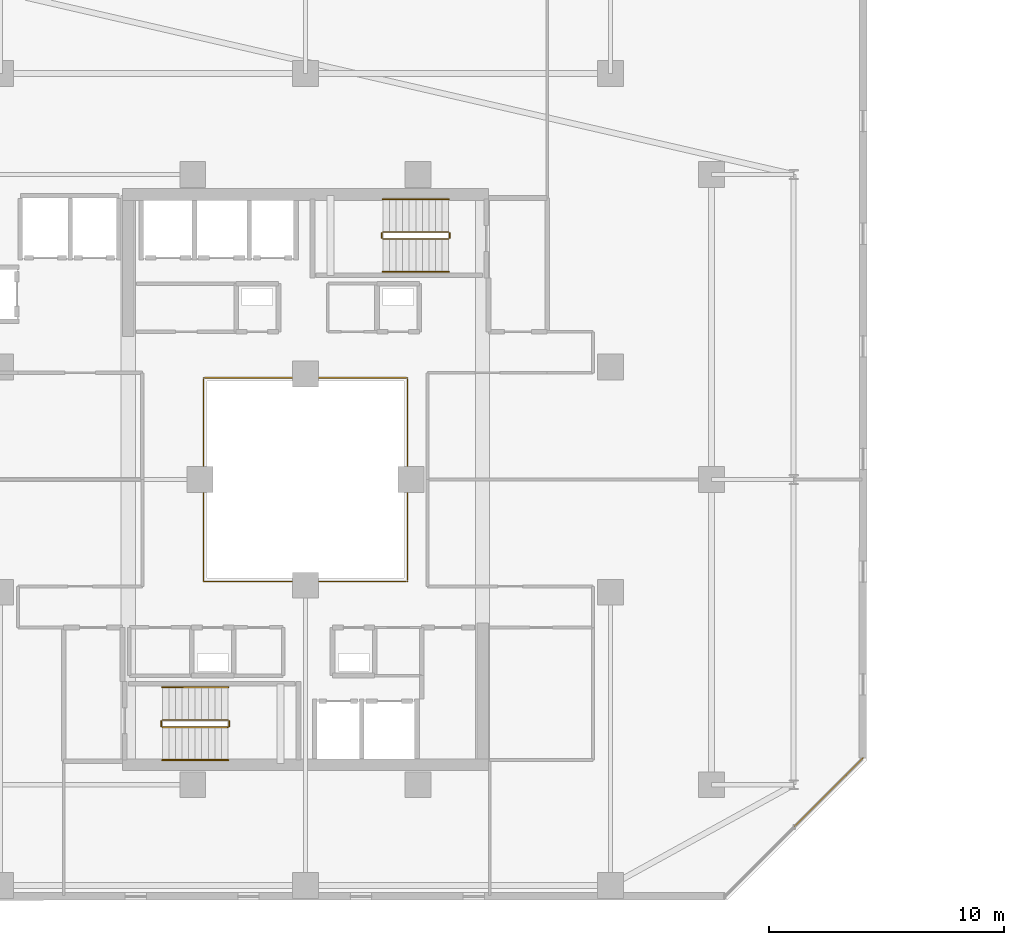
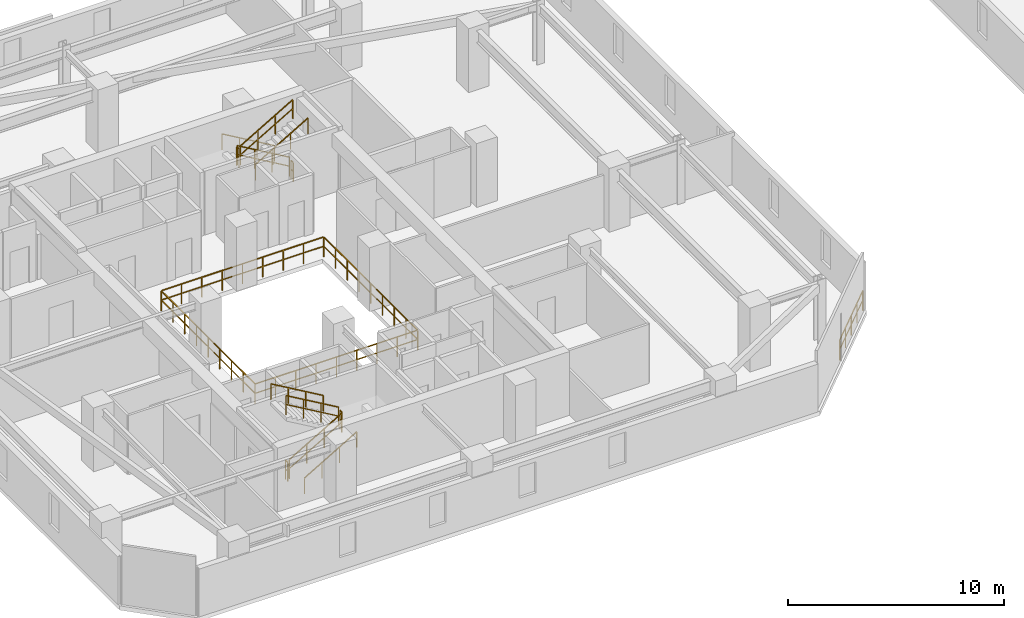
# One storey, part 29 of 32: 14 railings.
"""IFC4 building model written with IfcOpenShell, lengths in metres."""

from ifc_helpers import new_model, si_unit, direction, frame, origin, origin_2d, place, context, subcontext, project, spatial, rectangle, extrude, material, type_object, element, save


model = new_model("IFC4")

# Units and contexts
model_context = context("Model", 3, precision=1e-05, world=origin(), true_north=direction((0.0, 1.0)))
body_context = subcontext(model_context, "Body", "Model", "MODEL_VIEW")
ifc_project = project(units=[si_unit("LENGTHUNIT", "METRE"), si_unit("AREAUNIT", "SQUARE_METRE"), si_unit("VOLUMEUNIT", "CUBIC_METRE"), si_unit("PLANEANGLEUNIT", "RADIAN"), si_unit("MASSUNIT", "GRAM", prefix="KILO")], contexts=[model_context])

# Site, building, storey
site_placement = place(None, origin())
site = spatial("IfcSite", under=ifc_project, at=site_placement, CompositionType="ELEMENT")
building_placement = place(site_placement, origin())
building = spatial("IfcBuilding", under=site, at=building_placement, Name="Thornwick Lancets Civic Towers", CompositionType="ELEMENT")
storey_placement = place(building_placement, frame((0.0, 0.0, 178.5)))
storey = spatial("IfcBuildingStorey", under=building, at=storey_placement, Name="L47", CompositionType="ELEMENT", Elevation=178.5)

# Railings
ifc_material_1 = material(Name="Laminated glass and bronze steel S355", Category="steel")
railing_type_1 = type_object("IfcRailingType", Name="RAIL_ATRIUM_GUARD", PredefinedType="BALUSTRADE", material=ifc_material_1)
railing_1_placement = place(storey_placement, frame((21.159912109375, 22.659912109375, 0.0)))
element("IfcRailing", 1, at=railing_1_placement, inside=storey, type_object=railing_type_1, Name="L47 Tower A Central Atrium Guard Balustrade", PredefinedType="BALUSTRADE", context=body_context, shape_type="SweptSolid", body=[
    extrude(rectangle(XDim=0.048095703125, YDim=0.048095703125, at=origin_2d()), frame((0.0, 0.0, 1.1259765625), z_axis=(1.0, 0.0, 0.0), x_axis=(0.0, 1.0, 0.0)), (0.0, 0.0, 1.0), 8.64892578125),
    extrude(rectangle(XDim=0.0419921875, YDim=0.0419921875, at=origin_2d()), frame((0.03759765625, 0.0, 0.597900390625), z_axis=(1.0, 0.0, 0.0), x_axis=(0.0, 1.0, 0.0)), (0.0, 0.0, 1.0), 1.010009765625),
    extrude(rectangle(XDim=0.0419921875, YDim=0.0419921875, at=origin_2d()), frame((1.12255859375, 0.0, 0.597900390625), z_axis=(1.0, 0.0, 0.0), x_axis=(0.0, 1.0, 0.0)), (0.0, 0.0, 1.0), 1.010009765625),
    extrude(rectangle(XDim=0.0419921875, YDim=0.0419921875, at=origin_2d()), frame((2.20751953125, 0.0, 0.597900390625), z_axis=(1.0, 0.0, 0.0), x_axis=(0.0, 1.0, 0.0)), (0.0, 0.0, 1.0), 1.010009765625),
    extrude(rectangle(XDim=0.0419921875, YDim=0.0419921875, at=origin_2d()), frame((3.29248046875, 0.0, 0.597900390625), z_axis=(1.0, 0.0, 0.0), x_axis=(0.0, 1.0, 0.0)), (0.0, 0.0, 1.0), 1.010009765625),
    extrude(rectangle(XDim=0.0419921875, YDim=0.0419921875, at=origin_2d()), frame((4.377685546875, 0.0, 0.597900390625), z_axis=(1.0, 0.0, 0.0), x_axis=(0.0, 1.0, 0.0)), (0.0, 0.0, 1.0), 1.010009765625),
    extrude(rectangle(XDim=0.0419921875, YDim=0.0419921875, at=origin_2d()), frame((5.462646484375, 0.0, 0.597900390625), z_axis=(1.0, 0.0, 0.0), x_axis=(0.0, 1.0, 0.0)), (0.0, 0.0, 1.0), 1.010009765625),
    extrude(rectangle(XDim=0.0419921875, YDim=0.0419921875, at=origin_2d()), frame((6.547607421875, 0.0, 0.597900390625), z_axis=(1.0, 0.0, 0.0), x_axis=(0.0, 1.0, 0.0)), (0.0, 0.0, 1.0), 1.010009765625),
    extrude(rectangle(XDim=0.0419921875, YDim=0.0419921875, at=origin_2d()), frame((7.632568359375, 0.0, 0.597900390625), z_axis=(1.0, 0.0, 0.0), x_axis=(0.0, 1.0, 0.0)), (0.0, 0.0, 1.0), 1.010009765625),
    extrude(rectangle(XDim=0.048095703125, YDim=0.048095703125, at=origin_2d()), frame((8.68017578125, 0.03125, 1.1259765625), z_axis=(0.0, 1.0, 0.0), x_axis=(-1.0, 0.0, 0.0)), (0.0, 0.0, 1.0), 8.61767578125),
    extrude(rectangle(XDim=0.0419921875, YDim=0.0419921875, at=origin_2d()), frame((8.68017578125, 0.03759765625, 0.597900390625), z_axis=(0.0, 1.0, 0.0), x_axis=(-1.0, 0.0, 0.0)), (0.0, 0.0, 1.0), 1.010009765625),
    extrude(rectangle(XDim=0.0419921875, YDim=0.0419921875, at=origin_2d()), frame((8.68017578125, 1.12255859375, 0.597900390625), z_axis=(0.0, 1.0, 0.0), x_axis=(-1.0, 0.0, 0.0)), (0.0, 0.0, 1.0), 1.010009765625),
    extrude(rectangle(XDim=0.0419921875, YDim=0.0419921875, at=origin_2d()), frame((8.68017578125, 2.20751953125, 0.597900390625), z_axis=(0.0, 1.0, 0.0), x_axis=(-1.0, 0.0, 0.0)), (0.0, 0.0, 1.0), 1.010009765625),
    extrude(rectangle(XDim=0.0419921875, YDim=0.0419921875, at=origin_2d()), frame((8.68017578125, 3.29248046875, 0.597900390625), z_axis=(0.0, 1.0, 0.0), x_axis=(-1.0, 0.0, 0.0)), (0.0, 0.0, 1.0), 1.010009765625),
    extrude(rectangle(XDim=0.0419921875, YDim=0.0419921875, at=origin_2d()), frame((8.68017578125, 4.377685546875, 0.597900390625), z_axis=(0.0, 1.0, 0.0), x_axis=(-1.0, 0.0, 0.0)), (0.0, 0.0, 1.0), 1.010009765625),
    extrude(rectangle(XDim=0.0419921875, YDim=0.0419921875, at=origin_2d()), frame((8.68017578125, 5.462646484375, 0.597900390625), z_axis=(0.0, 1.0, 0.0), x_axis=(-1.0, 0.0, 0.0)), (0.0, 0.0, 1.0), 1.010009765625),
    extrude(rectangle(XDim=0.0419921875, YDim=0.0419921875, at=origin_2d()), frame((8.68017578125, 6.547607421875, 0.597900390625), z_axis=(0.0, 1.0, 0.0), x_axis=(-1.0, 0.0, 0.0)), (0.0, 0.0, 1.0), 1.010009765625),
    extrude(rectangle(XDim=0.0419921875, YDim=0.0419921875, at=origin_2d()), frame((8.68017578125, 7.632568359375, 0.597900390625), z_axis=(0.0, 1.0, 0.0), x_axis=(-1.0, 0.0, 0.0)), (0.0, 0.0, 1.0), 1.010009765625),
    extrude(rectangle(XDim=0.048095703125, YDim=0.048095703125, at=origin_2d()), frame((8.64892578125, 8.68017578125, 1.1259765625), z_axis=(-1.0, 0.0, 0.0), x_axis=(0.0, -1.0, 0.0)), (0.0, 0.0, 1.0), 8.61767578125),
    extrude(rectangle(XDim=0.0419921875, YDim=0.0419921875, at=origin_2d()), frame((8.642578125, 8.68017578125, 0.597900390625), z_axis=(-1.0, 0.0, 0.0), x_axis=(0.0, -1.0, 0.0)), (0.0, 0.0, 1.0), 1.010009765625),
    extrude(rectangle(XDim=0.0419921875, YDim=0.0419921875, at=origin_2d()), frame((7.5576171875, 8.68017578125, 0.597900390625), z_axis=(-1.0, 0.0, 0.0), x_axis=(0.0, -1.0, 0.0)), (0.0, 0.0, 1.0), 1.010009765625),
    extrude(rectangle(XDim=0.0419921875, YDim=0.0419921875, at=origin_2d()), frame((6.47265625, 8.68017578125, 0.597900390625), z_axis=(-1.0, 0.0, 0.0), x_axis=(0.0, -1.0, 0.0)), (0.0, 0.0, 1.0), 1.010009765625),
    extrude(rectangle(XDim=0.0419921875, YDim=0.0419921875, at=origin_2d()), frame((5.3876953125, 8.68017578125, 0.597900390625), z_axis=(-1.0, 0.0, 0.0), x_axis=(0.0, -1.0, 0.0)), (0.0, 0.0, 1.0), 1.010009765625),
    extrude(rectangle(XDim=0.0419921875, YDim=0.0419921875, at=origin_2d()), frame((4.302490234375, 8.68017578125, 0.597900390625), z_axis=(-1.0, 0.0, 0.0), x_axis=(0.0, -1.0, 0.0)), (0.0, 0.0, 1.0), 1.010009765625),
    extrude(rectangle(XDim=0.0419921875, YDim=0.0419921875, at=origin_2d()), frame((3.217529296875, 8.68017578125, 0.597900390625), z_axis=(-1.0, 0.0, 0.0), x_axis=(0.0, -1.0, 0.0)), (0.0, 0.0, 1.0), 1.010009765625),
    extrude(rectangle(XDim=0.0419921875, YDim=0.0419921875, at=origin_2d()), frame((2.132568359375, 8.68017578125, 0.597900390625), z_axis=(-1.0, 0.0, 0.0), x_axis=(0.0, -1.0, 0.0)), (0.0, 0.0, 1.0), 1.010009765625),
    extrude(rectangle(XDim=0.0419921875, YDim=0.0419921875, at=origin_2d()), frame((1.047607421875, 8.68017578125, 0.597900390625), z_axis=(-1.0, 0.0, 0.0), x_axis=(0.0, -1.0, 0.0)), (0.0, 0.0, 1.0), 1.010009765625),
    extrude(rectangle(XDim=0.048095703125, YDim=0.048095703125, at=origin_2d()), frame((0.0, 8.64892578125, 1.1259765625), z_axis=(0.0, -1.0, 0.0), x_axis=(1.0, 0.0, 0.0)), (0.0, 0.0, 1.0), 8.64892578125),
    extrude(rectangle(XDim=0.0419921875, YDim=0.0419921875, at=origin_2d()), frame((0.0, 8.642578125, 0.597900390625), z_axis=(0.0, -1.0, 0.0), x_axis=(1.0, 0.0, 0.0)), (0.0, 0.0, 1.0), 1.010009765625),
    extrude(rectangle(XDim=0.0419921875, YDim=0.0419921875, at=origin_2d()), frame((0.0, 7.5576171875, 0.597900390625), z_axis=(0.0, -1.0, 0.0), x_axis=(1.0, 0.0, 0.0)), (0.0, 0.0, 1.0), 1.010009765625),
    extrude(rectangle(XDim=0.0419921875, YDim=0.0419921875, at=origin_2d()), frame((0.0, 6.47265625, 0.597900390625), z_axis=(0.0, -1.0, 0.0), x_axis=(1.0, 0.0, 0.0)), (0.0, 0.0, 1.0), 1.010009765625),
    extrude(rectangle(XDim=0.0419921875, YDim=0.0419921875, at=origin_2d()), frame((0.0, 5.3876953125, 0.597900390625), z_axis=(0.0, -1.0, 0.0), x_axis=(1.0, 0.0, 0.0)), (0.0, 0.0, 1.0), 1.010009765625),
    extrude(rectangle(XDim=0.0419921875, YDim=0.0419921875, at=origin_2d()), frame((0.0, 4.302490234375, 0.597900390625), z_axis=(0.0, -1.0, 0.0), x_axis=(1.0, 0.0, 0.0)), (0.0, 0.0, 1.0), 1.010009765625),
    extrude(rectangle(XDim=0.0419921875, YDim=0.0419921875, at=origin_2d()), frame((0.0, 3.217529296875, 0.597900390625), z_axis=(0.0, -1.0, 0.0), x_axis=(1.0, 0.0, 0.0)), (0.0, 0.0, 1.0), 1.010009765625),
    extrude(rectangle(XDim=0.0419921875, YDim=0.0419921875, at=origin_2d()), frame((0.0, 2.132568359375, 0.597900390625), z_axis=(0.0, -1.0, 0.0), x_axis=(1.0, 0.0, 0.0)), (0.0, 0.0, 1.0), 1.010009765625),
    extrude(rectangle(XDim=0.0419921875, YDim=0.0419921875, at=origin_2d()), frame((0.0, 1.047607421875, 0.597900390625), z_axis=(0.0, -1.0, 0.0), x_axis=(1.0, 0.0, 0.0)), (0.0, 0.0, 1.0), 1.010009765625),
    extrude(rectangle(XDim=0.0419921875, YDim=0.0419921875, at=origin_2d()), origin(), (0.0, 0.0, 1.0), 1.095703125),
    extrude(rectangle(XDim=0.0419921875, YDim=0.0419921875, at=origin_2d()), frame((1.0849609375, 0.0, 0.0)), (0.0, 0.0, 1.0), 1.095703125),
    extrude(rectangle(XDim=0.0419921875, YDim=0.0419921875, at=origin_2d()), frame((2.169921875, 0.0, 0.0)), (0.0, 0.0, 1.0), 1.095703125),
    extrude(rectangle(XDim=0.0419921875, YDim=0.0419921875, at=origin_2d()), frame((3.255126953125, 0.0, 0.0)), (0.0, 0.0, 1.0), 1.095703125),
    extrude(rectangle(XDim=0.0419921875, YDim=0.0419921875, at=origin_2d()), frame((4.340087890625, 0.0, 0.0)), (0.0, 0.0, 1.0), 1.095703125),
    extrude(rectangle(XDim=0.0419921875, YDim=0.0419921875, at=origin_2d()), frame((5.425048828125, 0.0, 0.0)), (0.0, 0.0, 1.0), 1.095703125),
    extrude(rectangle(XDim=0.0419921875, YDim=0.0419921875, at=origin_2d()), frame((6.51025390625, 0.0, 0.0)), (0.0, 0.0, 1.0), 1.095703125),
    extrude(rectangle(XDim=0.0419921875, YDim=0.0419921875, at=origin_2d()), frame((7.59521484375, 0.0, 0.0)), (0.0, 0.0, 1.0), 1.095703125),
    extrude(rectangle(XDim=0.0419921875, YDim=0.0419921875, at=origin_2d()), frame((8.68017578125, 0.0, 0.0)), (0.0, 0.0, 1.0), 1.095703125),
    extrude(rectangle(XDim=0.0419921875, YDim=0.0419921875, at=origin_2d()), frame((8.68017578125, 1.0849609375, 0.0)), (0.0, 0.0, 1.0), 1.095703125),
    extrude(rectangle(XDim=0.0419921875, YDim=0.0419921875, at=origin_2d()), frame((8.68017578125, 2.169921875, 0.0)), (0.0, 0.0, 1.0), 1.095703125),
    extrude(rectangle(XDim=0.0419921875, YDim=0.0419921875, at=origin_2d()), frame((8.68017578125, 3.255126953125, 0.0)), (0.0, 0.0, 1.0), 1.095703125),
    extrude(rectangle(XDim=0.0419921875, YDim=0.0419921875, at=origin_2d()), frame((8.68017578125, 4.340087890625, 0.0)), (0.0, 0.0, 1.0), 1.095703125),
    extrude(rectangle(XDim=0.0419921875, YDim=0.0419921875, at=origin_2d()), frame((8.68017578125, 5.425048828125, 0.0)), (0.0, 0.0, 1.0), 1.095703125),
    extrude(rectangle(XDim=0.0419921875, YDim=0.0419921875, at=origin_2d()), frame((8.68017578125, 6.51025390625, 0.0)), (0.0, 0.0, 1.0), 1.095703125),
    extrude(rectangle(XDim=0.0419921875, YDim=0.0419921875, at=origin_2d()), frame((8.68017578125, 7.59521484375, 0.0)), (0.0, 0.0, 1.0), 1.095703125),
    extrude(rectangle(XDim=0.0419921875, YDim=0.0419921875, at=origin_2d()), frame((8.68017578125, 8.68017578125, 0.0)), (0.0, 0.0, 1.0), 1.095703125),
    extrude(rectangle(XDim=0.0419921875, YDim=0.0419921875, at=origin_2d()), frame((7.59521484375, 8.68017578125, 0.0)), (0.0, 0.0, 1.0), 1.095703125),
    extrude(rectangle(XDim=0.0419921875, YDim=0.0419921875, at=origin_2d()), frame((6.51025390625, 8.68017578125, 0.0)), (0.0, 0.0, 1.0), 1.095703125),
    extrude(rectangle(XDim=0.0419921875, YDim=0.0419921875, at=origin_2d()), frame((5.425048828125, 8.68017578125, 0.0)), (0.0, 0.0, 1.0), 1.095703125),
    extrude(rectangle(XDim=0.0419921875, YDim=0.0419921875, at=origin_2d()), frame((4.340087890625, 8.68017578125, 0.0)), (0.0, 0.0, 1.0), 1.095703125),
    extrude(rectangle(XDim=0.0419921875, YDim=0.0419921875, at=origin_2d()), frame((3.255126953125, 8.68017578125, 0.0)), (0.0, 0.0, 1.0), 1.095703125),
    extrude(rectangle(XDim=0.0419921875, YDim=0.0419921875, at=origin_2d()), frame((2.169921875, 8.68017578125, 0.0)), (0.0, 0.0, 1.0), 1.095703125),
    extrude(rectangle(XDim=0.0419921875, YDim=0.0419921875, at=origin_2d()), frame((1.0849609375, 8.68017578125, 0.0)), (0.0, 0.0, 1.0), 1.095703125),
    extrude(rectangle(XDim=0.0419921875, YDim=0.0419921875, at=origin_2d()), frame((0.0, 8.68017578125, 0.0)), (0.0, 0.0, 1.0), 1.095703125),
    extrude(rectangle(XDim=0.0419921875, YDim=0.0419921875, at=origin_2d()), frame((0.0, 7.59521484375, 0.0)), (0.0, 0.0, 1.0), 1.095703125),
    extrude(rectangle(XDim=0.0419921875, YDim=0.0419921875, at=origin_2d()), frame((0.0, 6.51025390625, 0.0)), (0.0, 0.0, 1.0), 1.095703125),
    extrude(rectangle(XDim=0.0419921875, YDim=0.0419921875, at=origin_2d()), frame((0.0, 5.425048828125, 0.0)), (0.0, 0.0, 1.0), 1.095703125),
    extrude(rectangle(XDim=0.0419921875, YDim=0.0419921875, at=origin_2d()), frame((0.0, 4.340087890625, 0.0)), (0.0, 0.0, 1.0), 1.095703125),
    extrude(rectangle(XDim=0.0419921875, YDim=0.0419921875, at=origin_2d()), frame((0.0, 3.255126953125, 0.0)), (0.0, 0.0, 1.0), 1.095703125),
    extrude(rectangle(XDim=0.0419921875, YDim=0.0419921875, at=origin_2d()), frame((0.0, 2.169921875, 0.0)), (0.0, 0.0, 1.0), 1.095703125),
    extrude(rectangle(XDim=0.0419921875, YDim=0.0419921875, at=origin_2d()), frame((0.0, 1.0849609375, 0.0)), (0.0, 0.0, 1.0), 1.095703125),
])
ifc_material_2 = material(Name="Brushed stainless steel S355", Category="steel")
railing_type_2 = type_object("IfcRailingType", Name="RAIL_HANDRAIL", PredefinedType="HANDRAIL", material=ifc_material_2)
railing_2_placement = place(storey_placement, frame((19.39990234375, 15.050048828125, 0.16357421875)))
element("IfcRailing", 2, at=railing_2_placement, inside=storey, type_object=railing_type_2, Name="L47 ST-A1 stair handrail 1", PredefinedType="HANDRAIL", context=body_context, shape_type="SweptSolid", body=[
    extrude(rectangle(XDim=0.048095703125, YDim=0.048095703125, at=origin_2d()), frame((0.0, 0.0, 0.8857421875), z_axis=(0.863360870873, 0.0, 0.504586966384), x_axis=(0.0, 1.0, 0.0)), (0.0, 0.0, 1.0), 3.2431640625),
    extrude(rectangle(XDim=0.0419921875, YDim=0.0419921875, at=origin_2d()), origin(), (0.0, 0.0, 1.0), 0.855712890625),
    extrude(rectangle(XDim=0.0419921875, YDim=0.0419921875, at=origin_2d()), frame((0.933349609375, 0.0, 0.54541015625)), (0.0, 0.0, 1.0), 0.855712890625),
    extrude(rectangle(XDim=0.0419921875, YDim=0.0419921875, at=origin_2d()), frame((1.86669921875, 0.0, 1.091064453125)), (0.0, 0.0, 1.0), 0.855712890625),
    extrude(rectangle(XDim=0.0419921875, YDim=0.0419921875, at=origin_2d()), frame((2.800048828125, 0.0, 1.636474609375)), (0.0, 0.0, 1.0), 0.855712890625),
])
for number, where, name in (
    (3, (22.199951171875, 18.14990234375, 1.963623046875), "L47 ST-A1 stair handrail 2"),
    (4, (31.60009765625, 38.949951171875, 0.16357421875), "L47 ST-A2 stair handrail 1"),
):
    element("IfcRailing", number, at=place(storey_placement, frame(where)), inside=storey, type_object=railing_type_2, Name=name, PredefinedType="HANDRAIL", context=body_context, shape_type="SweptSolid", body=[
        extrude(rectangle(XDim=0.048095703125, YDim=0.048095703125, at=origin_2d()), frame((0.0, 0.0, 0.8857421875), z_axis=(-0.863360870873, 0.0, 0.504586966384), x_axis=(0.0, -1.0, 0.0)), (0.0, 0.0, 1.0), 3.2431640625),
        extrude(rectangle(XDim=0.0419921875, YDim=0.0419921875, at=origin_2d()), origin(), (0.0, 0.0, 1.0), 0.855712890625),
        extrude(rectangle(XDim=0.0419921875, YDim=0.0419921875, at=origin_2d()), frame((-0.933349609375, 0.0, 0.54541015625)), (0.0, 0.0, 1.0), 0.855712890625),
        extrude(rectangle(XDim=0.0419921875, YDim=0.0419921875, at=origin_2d()), frame((-1.86669921875, 0.0, 1.091064453125)), (0.0, 0.0, 1.0), 0.855712890625),
        extrude(rectangle(XDim=0.0419921875, YDim=0.0419921875, at=origin_2d()), frame((-2.800048828125, 0.0, 1.636474609375)), (0.0, 0.0, 1.0), 0.855712890625),
    ])
railing_3_placement = place(storey_placement, frame((28.800048828125, 35.85009765625, 1.963623046875)))
element("IfcRailing", 5, at=railing_3_placement, inside=storey, type_object=railing_type_2, Name="L47 ST-A2 stair handrail 2", PredefinedType="HANDRAIL", context=body_context, shape_type="SweptSolid", body=[
    extrude(rectangle(XDim=0.048095703125, YDim=0.048095703125, at=origin_2d()), frame((0.0, 0.0, 0.8857421875), z_axis=(0.863360870873, 0.0, 0.504586966384), x_axis=(0.0, 1.0, 0.0)), (0.0, 0.0, 1.0), 3.2431640625),
    extrude(rectangle(XDim=0.0419921875, YDim=0.0419921875, at=origin_2d()), origin(), (0.0, 0.0, 1.0), 0.855712890625),
    extrude(rectangle(XDim=0.0419921875, YDim=0.0419921875, at=origin_2d()), frame((0.933349609375, 0.0, 0.54541015625)), (0.0, 0.0, 1.0), 0.855712890625),
    extrude(rectangle(XDim=0.0419921875, YDim=0.0419921875, at=origin_2d()), frame((1.86669921875, 0.0, 1.091064453125)), (0.0, 0.0, 1.0), 0.855712890625),
    extrude(rectangle(XDim=0.0419921875, YDim=0.0419921875, at=origin_2d()), frame((2.800048828125, 0.0, 1.636474609375)), (0.0, 0.0, 1.0), 0.855712890625),
])
ifc_material_3 = material(Name="Steel S355JR", Category="steel")
railing_type_3 = type_object("IfcRailingType", Name="RAIL_STAIR_GUARD", PredefinedType="GUARDRAIL", material=ifc_material_3)
railing_4_placement = place(storey_placement, frame((19.39990234375, 16.449951171875, 0.16357421875)))
element("IfcRailing", 6, at=railing_4_placement, inside=storey, type_object=railing_type_3, Name="L47 ST-A1 stair guard 1", PredefinedType="GUARDRAIL", context=body_context, shape_type="SweptSolid", body=[
    extrude(rectangle(XDim=0.048095703125, YDim=0.048095703125, at=origin_2d()), frame((0.0, 0.0, 1.076171875), z_axis=(0.863360870873, 0.0, 0.504586966384), x_axis=(0.0, 1.0, 0.0)), (0.0, 0.0, 1.0), 3.2431640625),
    extrude(rectangle(XDim=0.0419921875, YDim=0.0419921875, at=origin_2d()), frame((0.032470703125, 0.0, 0.591064453125), z_axis=(0.863360870873, 0.0, 0.504586966384), x_axis=(0.0, 1.0, 0.0)), (0.0, 0.0, 1.0), 1.006103515625),
    extrude(rectangle(XDim=0.0419921875, YDim=0.0419921875, at=origin_2d()), frame((0.9658203125, 0.0, 1.136474609375), z_axis=(0.863360870873, 0.0, 0.504586966384), x_axis=(0.0, 1.0, 0.0)), (0.0, 0.0, 1.0), 1.006103515625),
    extrude(rectangle(XDim=0.0419921875, YDim=0.0419921875, at=origin_2d()), frame((1.899169921875, 0.0, 1.681884765625), z_axis=(0.863360870873, 0.0, 0.504586966384), x_axis=(0.0, 1.0, 0.0)), (0.0, 0.0, 1.0), 1.006103515625),
    extrude(rectangle(XDim=0.0419921875, YDim=0.0419921875, at=origin_2d()), origin(), (0.0, 0.0, 1.0), 1.0458984375),
    extrude(rectangle(XDim=0.0419921875, YDim=0.0419921875, at=origin_2d()), frame((0.933349609375, 0.0, 0.54541015625)), (0.0, 0.0, 1.0), 1.0458984375),
    extrude(rectangle(XDim=0.0419921875, YDim=0.0419921875, at=origin_2d()), frame((1.86669921875, 0.0, 1.091064453125)), (0.0, 0.0, 1.0), 1.0458984375),
    extrude(rectangle(XDim=0.0419921875, YDim=0.0419921875, at=origin_2d()), frame((2.800048828125, 0.0, 1.636474609375)), (0.0, 0.0, 1.0), 1.0458984375),
])
railing_5_placement = place(storey_placement, frame((22.25, 16.5, 1.800048828125)))
element("IfcRailing", 7, at=railing_5_placement, inside=storey, type_object=railing_type_3, Name="L47 ST-A1 stair guard 2", PredefinedType="GUARDRAIL", context=body_context, shape_type="SweptSolid", body=[
    extrude(rectangle(XDim=0.048095703125, YDim=0.048095703125, at=origin_2d()), frame((0.0, 0.0, 1.076171875), z_axis=(0.0, 1.0, 0.0), x_axis=(-1.0, 0.0, 0.0)), (0.0, 0.0, 1.0), 0.199951171875),
    extrude(rectangle(XDim=0.0419921875, YDim=0.0419921875, at=origin_2d()), frame((0.0, 0.03759765625, 0.572021484375), z_axis=(0.0, 1.0, 0.0), x_axis=(-1.0, 0.0, 0.0)), (0.0, 0.0, 1.0), 0.125),
    extrude(rectangle(XDim=0.0419921875, YDim=0.0419921875, at=origin_2d()), origin(), (0.0, 0.0, 1.0), 1.0458984375),
    extrude(rectangle(XDim=0.0419921875, YDim=0.0419921875, at=origin_2d()), frame((0.0, 0.199951171875, 0.0)), (0.0, 0.0, 1.0), 1.0458984375),
])
railing_6_placement = place(storey_placement, frame((22.199951171875, 16.75, 1.963623046875)))
element("IfcRailing", 8, at=railing_6_placement, inside=storey, type_object=railing_type_3, Name="L47 ST-A1 stair guard 3", PredefinedType="GUARDRAIL", context=body_context, shape_type="SweptSolid", body=[
    extrude(rectangle(XDim=0.048095703125, YDim=0.048095703125, at=origin_2d()), frame((0.0, 0.0, 1.076171875), z_axis=(-0.863360870873, 0.0, 0.504586966384), x_axis=(0.0, -1.0, 0.0)), (0.0, 0.0, 1.0), 3.2431640625),
    extrude(rectangle(XDim=0.0419921875, YDim=0.0419921875, at=origin_2d()), frame((-0.032470703125, 0.0, 0.591064453125), z_axis=(-0.863360870873, 0.0, 0.504586966384), x_axis=(0.0, -1.0, 0.0)), (0.0, 0.0, 1.0), 1.006103515625),
    extrude(rectangle(XDim=0.0419921875, YDim=0.0419921875, at=origin_2d()), frame((-0.9658203125, 0.0, 1.136474609375), z_axis=(-0.863360870873, 0.0, 0.504586966384), x_axis=(0.0, -1.0, 0.0)), (0.0, 0.0, 1.0), 1.006103515625),
    extrude(rectangle(XDim=0.0419921875, YDim=0.0419921875, at=origin_2d()), frame((-1.899169921875, 0.0, 1.681884765625), z_axis=(-0.863360870873, 0.0, 0.504586966384), x_axis=(0.0, -1.0, 0.0)), (0.0, 0.0, 1.0), 1.006103515625),
    extrude(rectangle(XDim=0.0419921875, YDim=0.0419921875, at=origin_2d()), origin(), (0.0, 0.0, 1.0), 1.0458984375),
    extrude(rectangle(XDim=0.0419921875, YDim=0.0419921875, at=origin_2d()), frame((-0.933349609375, 0.0, 0.54541015625)), (0.0, 0.0, 1.0), 1.0458984375),
    extrude(rectangle(XDim=0.0419921875, YDim=0.0419921875, at=origin_2d()), frame((-1.86669921875, 0.0, 1.091064453125)), (0.0, 0.0, 1.0), 1.0458984375),
    extrude(rectangle(XDim=0.0419921875, YDim=0.0419921875, at=origin_2d()), frame((-2.800048828125, 0.0, 1.636474609375)), (0.0, 0.0, 1.0), 1.0458984375),
])
railing_7_placement = place(storey_placement, frame((19.35009765625, 16.5, 0.0)))
element("IfcRailing", 9, at=railing_7_placement, inside=storey, type_object=railing_type_3, Name="L47 ST-A1 stair guard 4", PredefinedType="GUARDRAIL", context=body_context, shape_type="SweptSolid", body=[
    extrude(rectangle(XDim=0.048095703125, YDim=0.048095703125, at=origin_2d()), frame((0.0, 0.0, 1.076171875), z_axis=(0.0, 1.0, 0.0), x_axis=(-1.0, 0.0, 0.0)), (0.0, 0.0, 1.0), 0.199951171875),
    extrude(rectangle(XDim=0.0419921875, YDim=0.0419921875, at=origin_2d()), frame((0.0, 0.03759765625, 0.572021484375), z_axis=(0.0, 1.0, 0.0), x_axis=(-1.0, 0.0, 0.0)), (0.0, 0.0, 1.0), 0.125),
    extrude(rectangle(XDim=0.0419921875, YDim=0.0419921875, at=origin_2d()), origin(), (0.0, 0.0, 1.0), 1.0458984375),
    extrude(rectangle(XDim=0.0419921875, YDim=0.0419921875, at=origin_2d()), frame((0.0, 0.199951171875, 0.0)), (0.0, 0.0, 1.0), 1.0458984375),
])
railing_8_placement = place(storey_placement, frame((31.60009765625, 37.550048828125, 0.16357421875)))
element("IfcRailing", 10, at=railing_8_placement, inside=storey, type_object=railing_type_3, Name="L47 ST-A2 stair guard 1", PredefinedType="GUARDRAIL", context=body_context, shape_type="SweptSolid", body=[
    extrude(rectangle(XDim=0.048095703125, YDim=0.048095703125, at=origin_2d()), frame((0.0, 0.0, 1.076171875), z_axis=(-0.863360870873, 0.0, 0.504586966384), x_axis=(0.0, -1.0, 0.0)), (0.0, 0.0, 1.0), 3.2431640625),
    extrude(rectangle(XDim=0.0419921875, YDim=0.0419921875, at=origin_2d()), frame((-0.032470703125, 0.0, 0.591064453125), z_axis=(-0.863360870873, 0.0, 0.504586966384), x_axis=(0.0, -1.0, 0.0)), (0.0, 0.0, 1.0), 1.006103515625),
    extrude(rectangle(XDim=0.0419921875, YDim=0.0419921875, at=origin_2d()), frame((-0.9658203125, 0.0, 1.136474609375), z_axis=(-0.863360870873, 0.0, 0.504586966384), x_axis=(0.0, -1.0, 0.0)), (0.0, 0.0, 1.0), 1.006103515625),
    extrude(rectangle(XDim=0.0419921875, YDim=0.0419921875, at=origin_2d()), frame((-1.899169921875, 0.0, 1.681884765625), z_axis=(-0.863360870873, 0.0, 0.504586966384), x_axis=(0.0, -1.0, 0.0)), (0.0, 0.0, 1.0), 1.006103515625),
    extrude(rectangle(XDim=0.0419921875, YDim=0.0419921875, at=origin_2d()), origin(), (0.0, 0.0, 1.0), 1.0458984375),
    extrude(rectangle(XDim=0.0419921875, YDim=0.0419921875, at=origin_2d()), frame((-0.933349609375, 0.0, 0.54541015625)), (0.0, 0.0, 1.0), 1.0458984375),
    extrude(rectangle(XDim=0.0419921875, YDim=0.0419921875, at=origin_2d()), frame((-1.86669921875, 0.0, 1.091064453125)), (0.0, 0.0, 1.0), 1.0458984375),
    extrude(rectangle(XDim=0.0419921875, YDim=0.0419921875, at=origin_2d()), frame((-2.800048828125, 0.0, 1.636474609375)), (0.0, 0.0, 1.0), 1.0458984375),
])
railing_9_placement = place(storey_placement, frame((28.75, 37.5, 1.800048828125)))
element("IfcRailing", 11, at=railing_9_placement, inside=storey, type_object=railing_type_3, Name="L47 ST-A2 stair guard 2", PredefinedType="GUARDRAIL", context=body_context, shape_type="SweptSolid", body=[
    extrude(rectangle(XDim=0.048095703125, YDim=0.048095703125, at=origin_2d()), frame((0.0, 0.0, 1.076171875), z_axis=(0.0, -1.0, 0.0), x_axis=(1.0, 0.0, 0.0)), (0.0, 0.0, 1.0), 0.199951171875),
    extrude(rectangle(XDim=0.0419921875, YDim=0.0419921875, at=origin_2d()), frame((0.0, -0.03759765625, 0.572021484375), z_axis=(0.0, -1.0, 0.0), x_axis=(1.0, 0.0, 0.0)), (0.0, 0.0, 1.0), 0.125),
    extrude(rectangle(XDim=0.0419921875, YDim=0.0419921875, at=origin_2d()), origin(), (0.0, 0.0, 1.0), 1.0458984375),
    extrude(rectangle(XDim=0.0419921875, YDim=0.0419921875, at=origin_2d()), frame((0.0, -0.199951171875, 0.0)), (0.0, 0.0, 1.0), 1.0458984375),
])
railing_10_placement = place(storey_placement, frame((28.800048828125, 37.25, 1.963623046875)))
element("IfcRailing", 12, at=railing_10_placement, inside=storey, type_object=railing_type_3, Name="L47 ST-A2 stair guard 3", PredefinedType="GUARDRAIL", context=body_context, shape_type="SweptSolid", body=[
    extrude(rectangle(XDim=0.048095703125, YDim=0.048095703125, at=origin_2d()), frame((0.0, 0.0, 1.076171875), z_axis=(0.863360870873, 0.0, 0.504586966384), x_axis=(0.0, 1.0, 0.0)), (0.0, 0.0, 1.0), 3.2431640625),
    extrude(rectangle(XDim=0.0419921875, YDim=0.0419921875, at=origin_2d()), frame((0.032470703125, 0.0, 0.591064453125), z_axis=(0.863360870873, 0.0, 0.504586966384), x_axis=(0.0, 1.0, 0.0)), (0.0, 0.0, 1.0), 1.006103515625),
    extrude(rectangle(XDim=0.0419921875, YDim=0.0419921875, at=origin_2d()), frame((0.9658203125, 0.0, 1.136474609375), z_axis=(0.863360870873, 0.0, 0.504586966384), x_axis=(0.0, 1.0, 0.0)), (0.0, 0.0, 1.0), 1.006103515625),
    extrude(rectangle(XDim=0.0419921875, YDim=0.0419921875, at=origin_2d()), frame((1.899169921875, 0.0, 1.681884765625), z_axis=(0.863360870873, 0.0, 0.504586966384), x_axis=(0.0, 1.0, 0.0)), (0.0, 0.0, 1.0), 1.006103515625),
    extrude(rectangle(XDim=0.0419921875, YDim=0.0419921875, at=origin_2d()), origin(), (0.0, 0.0, 1.0), 1.0458984375),
    extrude(rectangle(XDim=0.0419921875, YDim=0.0419921875, at=origin_2d()), frame((0.933349609375, 0.0, 0.54541015625)), (0.0, 0.0, 1.0), 1.0458984375),
    extrude(rectangle(XDim=0.0419921875, YDim=0.0419921875, at=origin_2d()), frame((1.86669921875, 0.0, 1.091064453125)), (0.0, 0.0, 1.0), 1.0458984375),
    extrude(rectangle(XDim=0.0419921875, YDim=0.0419921875, at=origin_2d()), frame((2.800048828125, 0.0, 1.636474609375)), (0.0, 0.0, 1.0), 1.0458984375),
])
railing_11_placement = place(storey_placement, frame((31.64990234375, 37.5, 0.0)))
element("IfcRailing", 13, at=railing_11_placement, inside=storey, type_object=railing_type_3, Name="L47 ST-A2 stair guard 4", PredefinedType="GUARDRAIL", context=body_context, shape_type="SweptSolid", body=[
    extrude(rectangle(XDim=0.048095703125, YDim=0.048095703125, at=origin_2d()), frame((0.0, 0.0, 1.076171875), z_axis=(0.0, -1.0, 0.0), x_axis=(1.0, 0.0, 0.0)), (0.0, 0.0, 1.0), 0.199951171875),
    extrude(rectangle(XDim=0.0419921875, YDim=0.0419921875, at=origin_2d()), frame((0.0, -0.03759765625, 0.572021484375), z_axis=(0.0, -1.0, 0.0), x_axis=(1.0, 0.0, 0.0)), (0.0, 0.0, 1.0), 0.125),
    extrude(rectangle(XDim=0.0419921875, YDim=0.0419921875, at=origin_2d()), origin(), (0.0, 0.0, 1.0), 1.0458984375),
    extrude(rectangle(XDim=0.0419921875, YDim=0.0419921875, at=origin_2d()), frame((0.0, -0.199951171875, 0.0)), (0.0, 0.0, 1.0), 1.0458984375),
])
ifc_material_4 = material(Name="Terracotta-capped laminated glass balustrade S355", Category="masonry")
railing_type_4 = type_object("IfcRailingType", Name="RAIL_TERR_GUARD", PredefinedType="GUARDRAIL", material=ifc_material_4)
railing_12_placement = place(storey_placement, frame((46.3291015625, 12.203125, 0.0)))
element("IfcRailing", 14, at=railing_12_placement, inside=storey, type_object=railing_type_4, Name="L47 Tower A Chamfer Spandrel Guard E1-1", PredefinedType="GUARDRAIL", context=body_context, shape_type="SweptSolid", body=[
    extrude(rectangle(XDim=0.048095703125, YDim=0.048095703125, at=origin_2d()), frame((0.0, 0.0, 1.1259765625), z_axis=(0.707106781187, 0.707106781187, 0.0), x_axis=(-0.707106781187, 0.707106781187, 0.0)), (0.0, 0.0, 1.0), 4.135986328125),
    extrude(rectangle(XDim=0.0419921875, YDim=0.0419921875, at=origin_2d()), frame((0.026611328125, 0.026611328125, 0.597900390625), z_axis=(0.707106781187, 0.707106781187, 0.0), x_axis=(-0.707106781187, 0.707106781187, 0.0)), (0.0, 0.0, 1.0), 0.958984375),
    extrude(rectangle(XDim=0.0419921875, YDim=0.0419921875, at=origin_2d()), frame((0.757568359375, 0.757568359375, 0.597900390625), z_axis=(0.707106781187, 0.707106781187, 0.0), x_axis=(-0.707106781187, 0.707106781187, 0.0)), (0.0, 0.0, 1.0), 0.958984375),
    extrude(rectangle(XDim=0.0419921875, YDim=0.0419921875, at=origin_2d()), frame((1.48876953125, 1.48876953125, 0.597900390625), z_axis=(0.707106781187, 0.707106781187, 0.0), x_axis=(-0.707106781187, 0.707106781187, 0.0)), (0.0, 0.0, 1.0), 0.958984375),
    extrude(rectangle(XDim=0.0419921875, YDim=0.0419921875, at=origin_2d()), frame((2.219970703125, 2.219970703125, 0.597900390625), z_axis=(0.707106781187, 0.707106781187, 0.0), x_axis=(-0.707106781187, 0.707106781187, 0.0)), (0.0, 0.0, 1.0), 0.958984375),
    extrude(rectangle(XDim=0.0419921875, YDim=0.0419921875, at=origin_2d()), origin(), (0.0, 0.0, 1.0), 1.095703125),
    extrude(rectangle(XDim=0.0419921875, YDim=0.0419921875, at=origin_2d()), frame((0.731201171875, 0.731201171875, 0.0)), (0.0, 0.0, 1.0), 1.095703125),
    extrude(rectangle(XDim=0.0419921875, YDim=0.0419921875, at=origin_2d()), frame((1.46240234375, 1.46240234375, 0.0)), (0.0, 0.0, 1.0), 1.095703125),
    extrude(rectangle(XDim=0.0419921875, YDim=0.0419921875, at=origin_2d()), frame((2.193359375, 2.193359375, 0.0)), (0.0, 0.0, 1.0), 1.095703125),
    extrude(rectangle(XDim=0.0419921875, YDim=0.0419921875, at=origin_2d()), frame((2.924560546875, 2.924560546875, 0.0)), (0.0, 0.0, 1.0), 1.095703125),
])

save(model, "model.ifc")
